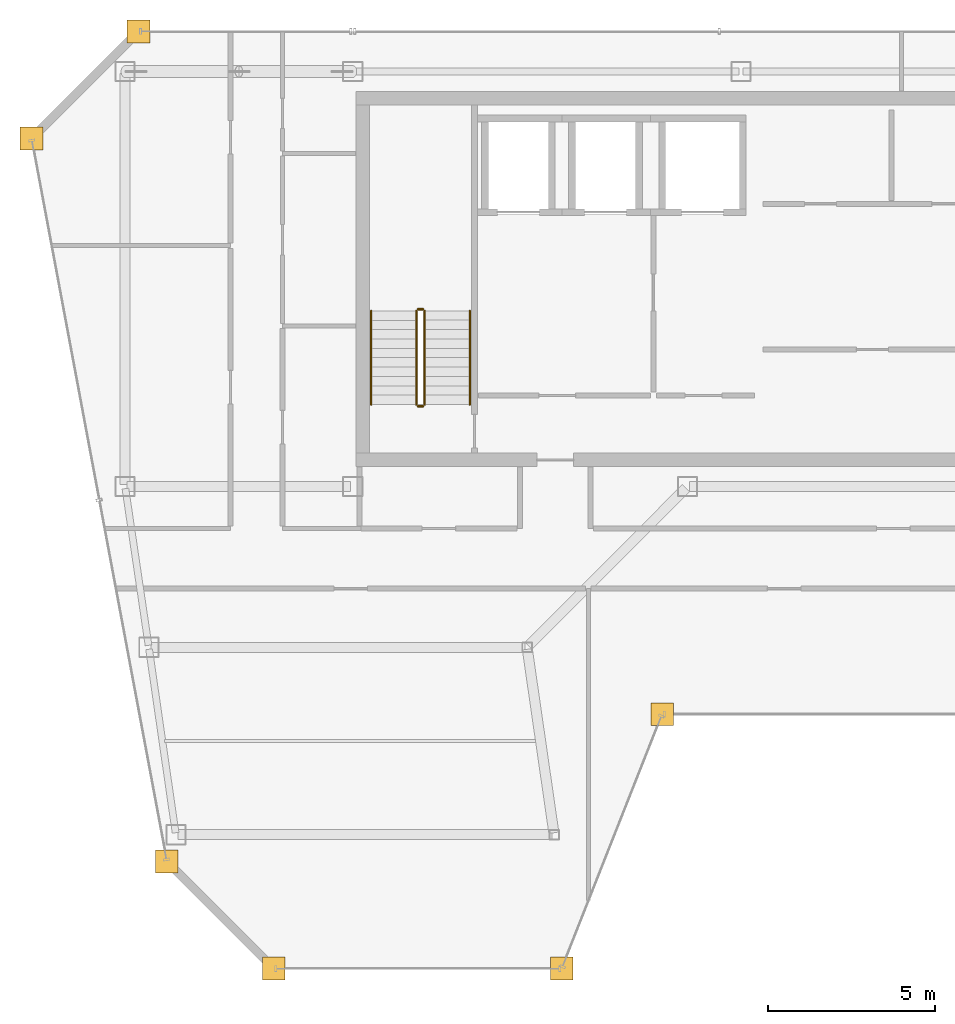
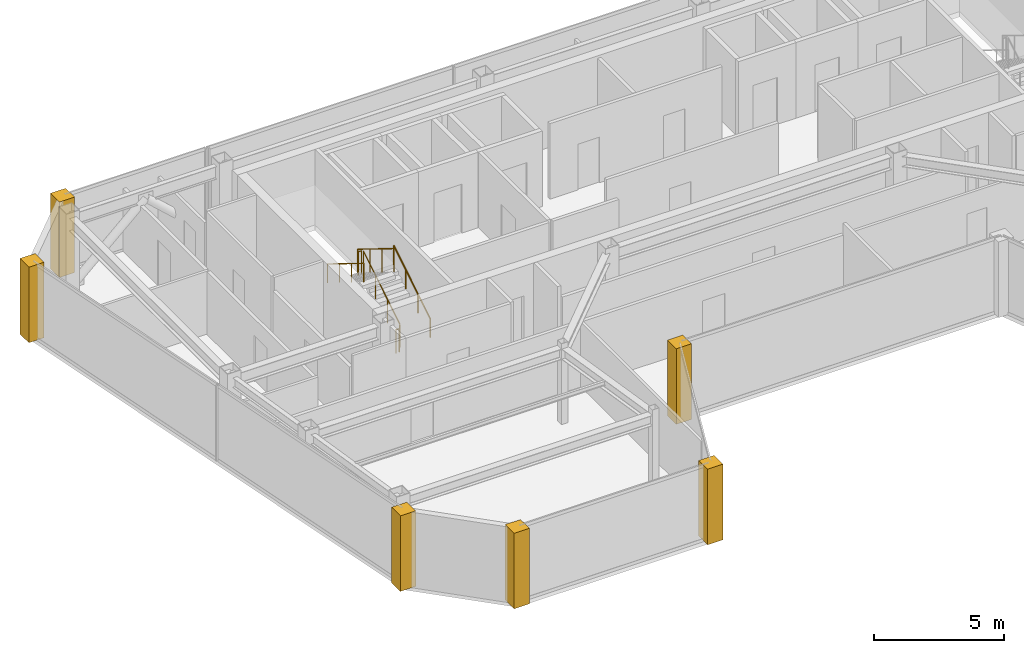
# One storey, part 21 of 22: 6 coverings, 6 railings.
"""IFC4 building model written with IfcOpenShell, lengths in metres."""

from ifc_helpers import new_model, si_unit, direction, frame, origin, origin_2d, place, context, subcontext, project, spatial, polyline, circle, outline, extrude, material, layer, layer_set, type_object, element, save


model = new_model("IFC4")

# Units and contexts
model_context = context("Model", 3, precision=1e-05, world=origin(), true_north=direction((0.0, 1.0)))
body_context = subcontext(model_context, "Body", "Model", "MODEL_VIEW")
ifc_project = project(units=[si_unit("LENGTHUNIT", "METRE"), si_unit("AREAUNIT", "SQUARE_METRE"), si_unit("VOLUMEUNIT", "CUBIC_METRE"), si_unit("PLANEANGLEUNIT", "RADIAN"), si_unit("MASSUNIT", "GRAM", prefix="KILO")], contexts=[model_context])

# Site, building, storey
site_placement = place(None, origin())
site = spatial("IfcSite", under=ifc_project, at=site_placement, CompositionType="ELEMENT")
building_placement = place(site_placement, origin())
building = spatial("IfcBuilding", under=site, at=building_placement, Name="Saevonmaru Cultural Tower", CompositionType="ELEMENT")
storey_placement = place(building_placement, frame((0.0, 0.0, 287.60009765625)))
storey = spatial("IfcBuildingStorey", under=building, at=storey_placement, Name="L68", CompositionType="ELEMENT", Elevation=287.60009765625)

# Coverings
ifc_material_1 = material(Name="Satin Bronze Anodised Aluminium", Category="aluminium")
ifc_layer = layer(ifc_material_1, 0.679931640625, Name="Satin Bronze Anodised Aluminium")
ifc_layer_set = layer_set([ifc_layer], Name="Satin Bronze Anodised Aluminium")
covering_type = type_object("IfcCoveringType", Name="CV-CORNER-CLAD", PredefinedType="CLADDING", material=ifc_layer_set)
covering_1_placement = place(storey_placement, origin())
element("IfcCovering", 1, at=covering_1_placement, inside=storey, type_object=covering_type, Name="L68 Tower Bronze Corner Cladding Pier 1", PredefinedType="CLADDING", context=body_context, shape_type="SweptSolid", body=[
    extrude(outline(polyline([(7.7041015625, 30.860107421875), (8.384033203125, 30.860107421875), (8.384033203125, 31.5400390625), (7.7041015625, 31.5400390625), (7.7041015625, 30.860107421875)])), origin(), (0.0, 0.0, 1.0), 3.5498046875),
])
covering_2_placement = place(storey_placement, origin())
element("IfcCovering", 2, at=covering_2_placement, inside=storey, type_object=covering_type, Name="L68 Tower Bronze Corner Cladding Pier 2", PredefinedType="CLADDING", context=body_context, shape_type="SweptSolid", body=[
    extrude(outline(polyline([(10.904052734375, 27.659912109375), (11.583984375, 27.659912109375), (11.583984375, 28.340087890625), (10.904052734375, 28.340087890625), (10.904052734375, 27.659912109375)])), origin(), (0.0, 0.0, 1.0), 3.5498046875),
])
covering_3_placement = place(storey_placement, origin())
element("IfcCovering", 3, at=covering_3_placement, inside=storey, type_object=covering_type, Name="L68 Tower Bronze Corner Cladding Pier 3", PredefinedType="CLADDING", context=body_context, shape_type="SweptSolid", body=[
    extrude(outline(polyline([(19.50390625, 27.659912109375), (20.18408203125, 27.659912109375), (20.18408203125, 28.340087890625), (19.50390625, 28.340087890625), (19.50390625, 27.659912109375)])), origin(), (0.0, 0.0, 1.0), 3.5498046875),
])
covering_4_placement = place(storey_placement, origin())
element("IfcCovering", 4, at=covering_4_placement, inside=storey, type_object=covering_type, Name="L68 Tower Bronze Corner Cladding Pier 4", PredefinedType="CLADDING", context=body_context, shape_type="SweptSolid", body=[
    extrude(outline(polyline([(22.50390625, 35.260009765625), (23.18408203125, 35.260009765625), (23.18408203125, 35.93994140625), (22.50390625, 35.93994140625), (22.50390625, 35.260009765625)])), origin(), (0.0, 0.0, 1.0), 3.5498046875),
])
covering_5_placement = place(storey_placement, origin())
element("IfcCovering", 5, at=covering_5_placement, inside=storey, type_object=covering_type, Name="L68 Tower Bronze Corner Cladding Pier 11", PredefinedType="CLADDING", context=body_context, shape_type="SweptSolid", body=[
    extrude(outline(polyline([(6.860107421875, 55.659912109375), (7.5400390625, 55.659912109375), (7.5400390625, 56.340087890625), (6.860107421875, 56.340087890625), (6.860107421875, 55.659912109375)])), origin(), (0.0, 0.0, 1.0), 3.5498046875),
])
covering_6_placement = place(storey_placement, origin())
element("IfcCovering", 6, at=covering_6_placement, inside=storey, type_object=covering_type, Name="L68 Tower Bronze Corner Cladding Pier 12", PredefinedType="CLADDING", context=body_context, shape_type="SweptSolid", body=[
    extrude(outline(polyline([(3.659912109375, 52.4599609375), (4.340087890625, 52.4599609375), (4.340087890625, 53.139892578125), (3.659912109375, 53.139892578125), (3.659912109375, 52.4599609375)])), origin(), (0.0, 0.0, 1.0), 3.5498046875),
])

# Railings
ifc_material_2 = material(Name="Architectural Painted Steel", Category="steel")
railing_type_1 = type_object("IfcRailingType", Name="RL-STAIR-GUARD", PredefinedType="GUARDRAIL", material=ifc_material_2)
railing_1_placement = place(storey_placement, frame((15.75, 44.85009765625, 0.172607421875)))
element("IfcRailing", 7, at=railing_1_placement, inside=storey, type_object=railing_type_1, Name="L68 ST-1 stair guard 1", PredefinedType="GUARDRAIL", context=body_context, shape_type="SweptSolid", body=[
    extrude(circle(Radius=0.02392578125, at=origin_2d()), frame((0.0, 0.0, 1.09619140625), z_axis=(0.0, 0.851069175582, 0.525053576669), x_axis=(-1.0, 0.0, 0.0)), (0.0, 0.0, 1.0), 3.289794921875),
    extrude(circle(Radius=0.02099609375, at=origin_2d()), origin(), (0.0, 0.0, 1.0), 1.072021484375),
    extrude(circle(Radius=0.02099609375, at=origin_2d()), frame((0.0, 0.933349609375, 0.57568359375)), (0.0, 0.0, 1.0), 1.072021484375),
    extrude(circle(Radius=0.02099609375, at=origin_2d()), frame((0.0, 1.866455078125, 1.151611328125)), (0.0, 0.0, 1.0), 1.072021484375),
    extrude(circle(Radius=0.02099609375, at=origin_2d()), frame((0.0, 2.7998046875, 1.727294921875)), (0.0, 0.0, 1.0), 1.072021484375),
])
railing_2_placement = place(storey_placement, frame((15.699951171875, 47.699951171875, 1.89990234375)))
element("IfcRailing", 8, at=railing_2_placement, inside=storey, type_object=railing_type_1, Name="L68 ST-1 stair guard 2", PredefinedType="GUARDRAIL", context=body_context, shape_type="SweptSolid", body=[
    extrude(circle(Radius=0.02392578125, at=origin_2d()), frame((0.0, 0.0, 1.09619140625), z_axis=(-1.0, 0.0, 0.0), x_axis=(0.0, -1.0, 0.0)), (0.0, 0.0, 1.0), 0.14990234375),
    extrude(circle(Radius=0.02099609375, at=origin_2d()), origin(), (0.0, 0.0, 1.0), 1.072021484375),
    extrude(circle(Radius=0.02099609375, at=origin_2d()), frame((-0.14990234375, 0.0, 0.0)), (0.0, 0.0, 1.0), 1.072021484375),
])
railing_3_placement = place(storey_placement, frame((15.5, 47.64990234375, 2.072509765625)))
element("IfcRailing", 9, at=railing_3_placement, inside=storey, type_object=railing_type_1, Name="L68 ST-1 stair guard 3", PredefinedType="GUARDRAIL", context=body_context, shape_type="SweptSolid", body=[
    extrude(circle(Radius=0.02392578125, at=origin_2d()), frame((0.0, 0.0, 1.09619140625), z_axis=(0.0, -0.851069175582, 0.525053576669), x_axis=(1.0, 0.0, 0.0)), (0.0, 0.0, 1.0), 3.289794921875),
    extrude(circle(Radius=0.02099609375, at=origin_2d()), origin(), (0.0, 0.0, 1.0), 1.072021484375),
    extrude(circle(Radius=0.02099609375, at=origin_2d()), frame((0.0, -0.933349609375, 0.57568359375)), (0.0, 0.0, 1.0), 1.072021484375),
    extrude(circle(Radius=0.02099609375, at=origin_2d()), frame((0.0, -1.866455078125, 1.151611328125)), (0.0, 0.0, 1.0), 1.072021484375),
    extrude(circle(Radius=0.02099609375, at=origin_2d()), frame((0.0, -2.7998046875, 1.727294921875)), (0.0, 0.0, 1.0), 1.072021484375),
])
railing_4_placement = place(storey_placement, frame((15.699951171875, 44.800048828125, 0.0)))
element("IfcRailing", 10, at=railing_4_placement, inside=storey, type_object=railing_type_1, Name="L68 ST-1 stair guard 4", PredefinedType="GUARDRAIL", context=body_context, shape_type="SweptSolid", body=[
    extrude(circle(Radius=0.02392578125, at=origin_2d()), frame((0.0, 0.0, 1.09619140625), z_axis=(-1.0, 0.0, 0.0), x_axis=(0.0, -1.0, 0.0)), (0.0, 0.0, 1.0), 0.14990234375),
    extrude(circle(Radius=0.02099609375, at=origin_2d()), origin(), (0.0, 0.0, 1.0), 1.072021484375),
    extrude(circle(Radius=0.02099609375, at=origin_2d()), frame((-0.14990234375, 0.0, 0.0)), (0.0, 0.0, 1.0), 1.072021484375),
])
railing_type_2 = type_object("IfcRailingType", Name="RL-STAIR-HANDRAIL", PredefinedType="HANDRAIL", material=ifc_material_1)
railing_5_placement = place(storey_placement, frame((17.10009765625, 44.85009765625, 0.172607421875)))
element("IfcRailing", 11, at=railing_5_placement, inside=storey, type_object=railing_type_2, Name="L68 ST-1 stair handrail 1", PredefinedType="HANDRAIL", context=body_context, shape_type="SweptSolid", body=[
    extrude(circle(Radius=0.02392578125, at=origin_2d()), frame((0.0, 0.0, 0.8759765625), z_axis=(0.0, 0.851069175582, 0.525053576669), x_axis=(-1.0, 0.0, 0.0)), (0.0, 0.0, 1.0), 3.289794921875),
    extrude(circle(Radius=0.02099609375, at=origin_2d()), origin(), (0.0, 0.0, 1.0), 0.851806640625),
    extrude(circle(Radius=0.02099609375, at=origin_2d()), frame((0.0, 0.933349609375, 0.57568359375)), (0.0, 0.0, 1.0), 0.851806640625),
    extrude(circle(Radius=0.02099609375, at=origin_2d()), frame((0.0, 1.866455078125, 1.151611328125)), (0.0, 0.0, 1.0), 0.851806640625),
    extrude(circle(Radius=0.02099609375, at=origin_2d()), frame((0.0, 2.7998046875, 1.727294921875)), (0.0, 0.0, 1.0), 0.851806640625),
])
railing_6_placement = place(storey_placement, frame((14.14990234375, 47.64990234375, 2.072509765625)))
element("IfcRailing", 12, at=railing_6_placement, inside=storey, type_object=railing_type_2, Name="L68 ST-1 stair handrail 2", PredefinedType="HANDRAIL", context=body_context, shape_type="SweptSolid", body=[
    extrude(circle(Radius=0.02392578125, at=origin_2d()), frame((0.0, 0.0, 0.8759765625), z_axis=(0.0, -0.851069175582, 0.525053576669), x_axis=(1.0, 0.0, 0.0)), (0.0, 0.0, 1.0), 3.289794921875),
    extrude(circle(Radius=0.02099609375, at=origin_2d()), origin(), (0.0, 0.0, 1.0), 0.851806640625),
    extrude(circle(Radius=0.02099609375, at=origin_2d()), frame((0.0, -0.933349609375, 0.57568359375)), (0.0, 0.0, 1.0), 0.851806640625),
    extrude(circle(Radius=0.02099609375, at=origin_2d()), frame((0.0, -1.866455078125, 1.151611328125)), (0.0, 0.0, 1.0), 0.851806640625),
    extrude(circle(Radius=0.02099609375, at=origin_2d()), frame((0.0, -2.7998046875, 1.727294921875)), (0.0, 0.0, 1.0), 0.851806640625),
])

save(model, "model.ifc")
